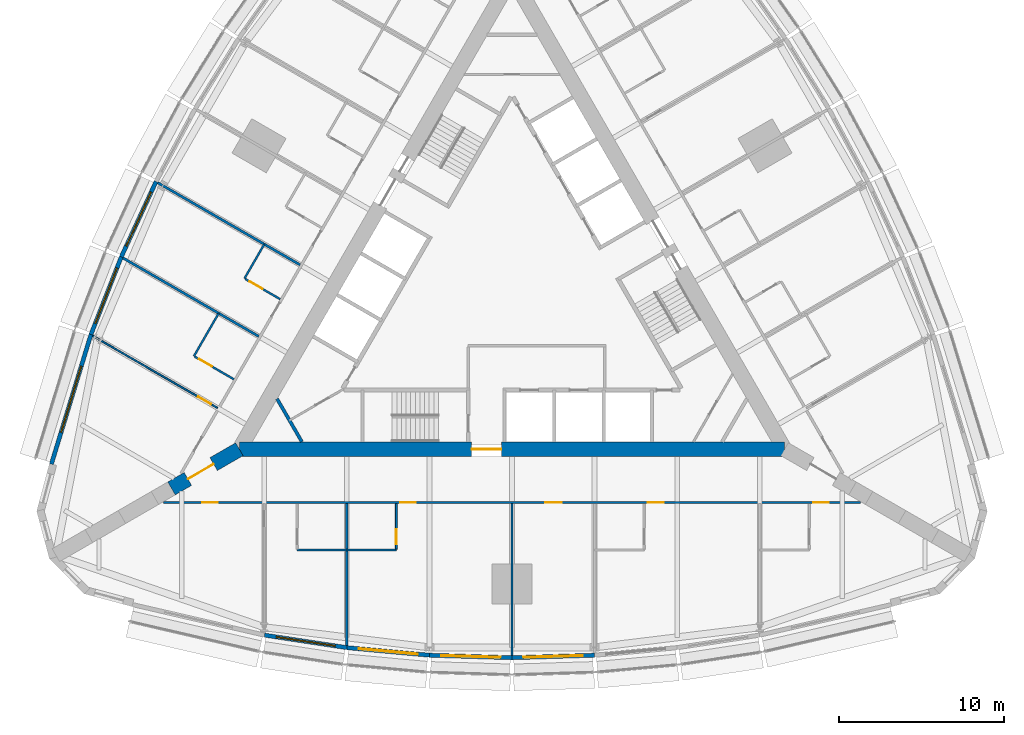
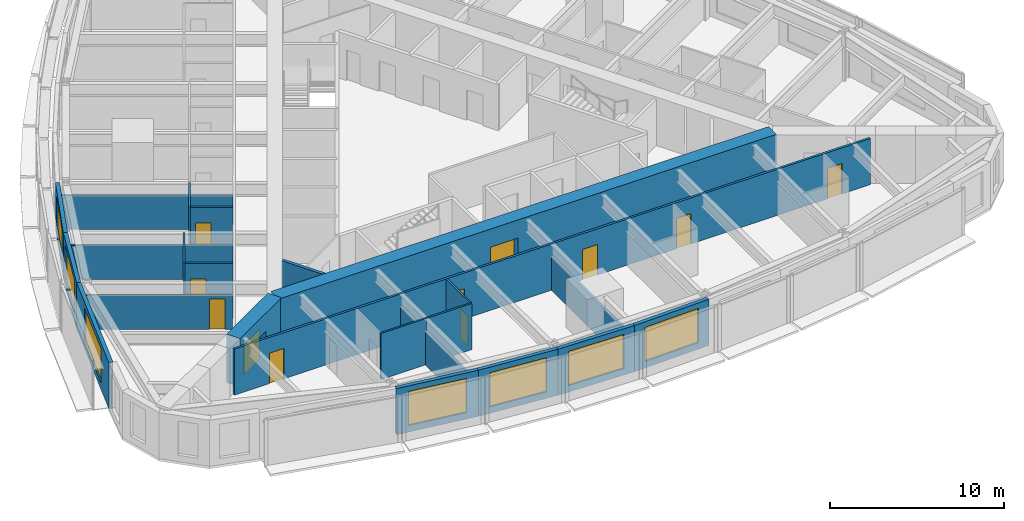
# One storey, part 8 of 14: 23 walls, 11 doors, 7 windows, 18 openings.
"""IFC4 building model written with IfcOpenShell, lengths in metres."""

from ifc_helpers import new_model, si_unit, direction, frame, frame_2d, origin, place, context, subcontext, project, spatial, rectangle, extrude, material, layer, layer_set, type_object, element, fill, save


model = new_model("IFC4")

# Units and contexts
model_context = context("Model", 3, precision=1e-05, world=origin(), true_north=direction((0.0, 1.0)))
body_context = subcontext(model_context, "Body", "Model", "MODEL_VIEW")
ifc_project = project(units=[si_unit("LENGTHUNIT", "METRE"), si_unit("AREAUNIT", "SQUARE_METRE"), si_unit("VOLUMEUNIT", "CUBIC_METRE"), si_unit("PLANEANGLEUNIT", "RADIAN"), si_unit("MASSUNIT", "GRAM", prefix="KILO")], contexts=[model_context])

# Site, building, storey
site_placement = place(None, origin())
site = spatial("IfcSite", under=ifc_project, at=site_placement, CompositionType="ELEMENT")
building_placement = place(site_placement, origin())
building = spatial("IfcBuilding", under=site, at=building_placement, Name="Trikona Tower", CompositionType="ELEMENT")
storey_placement = place(building_placement, frame((0.0, 0.0, 48.89990234375)))
storey = spatial("IfcBuildingStorey", under=building, at=storey_placement, Name="L11", CompositionType="ELEMENT", Elevation=48.89990234375)

# Walls
ifc_material_1 = material(Name="Metal stud and cement board", Category="gypsum")
ifc_layer_1 = layer(ifc_material_1, 0.1201171875)
ifc_layer_set_1 = layer_set([ifc_layer_1], Name="Bathroom wall 120")
wall_type_1 = type_object("IfcWallType", Name="Bathroom wall 120", PredefinedType="PLUMBINGWALL", material=ifc_layer_set_1)
for number, where, z_axis, x_axis, name in (
    (1, (-13.0, -15.626220703125, 0.0), (0.0, 0.0, 1.0), (1.0, 0.0, 0.0), "Bathroom wall 1101.1"),
    (2, (-10.0, -15.626220703125, 0.0), (0.0, 0.0, 1.0), (1.0, 0.0, 0.0), "Bathroom wall 1102"),
):
    element("IfcWall", number, at=place(storey_placement, frame(where, z_axis=z_axis, x_axis=x_axis)), inside=storey, type_object=wall_type_1, Name=name, PredefinedType="PLUMBINGWALL", context=body_context, shape_type="SweptSolid", body=[
        extrude(rectangle(XDim=3.0, YDim=0.1201171875, at=frame_2d((1.5, 0.0))), origin(), (0.0, 0.0, 1.0), 3.235107421875),
    ])

# Wall, opening, door
wall_1_placement = place(storey_placement, frame((-7.0, -12.826416015625, 0.0), z_axis=(0.0, 0.0, 1.0), x_axis=(0.0, -1.0, 0.0)))
wall_1 = element("IfcWall", 3, at=wall_1_placement, inside=storey, type_object=wall_type_1, Name="Bathroom wall 1102", PredefinedType="PLUMBINGWALL", context=body_context, shape_type="SweptSolid", body=[
    extrude(rectangle(XDim=2.739990234375, YDim=0.1201171875, at=frame_2d((1.3701171875, 0.0))), origin(), (0.0, 0.0, 1.0), 3.235107421875),
])
opening_1_placement = place(wall_1_placement, frame((1.550048828125, 0.0, 0.0)))
opening_1 = element("IfcOpeningElement", 4, at=opening_1_placement, cuts=wall_1, Name="Opening D2", PredefinedType="OPENING", context=body_context, shape_type="SweptSolid", body=[
    extrude(rectangle(XDim=0.89990234375, YDim=2.1298828125, at=frame_2d((0.449951171875, 1.06494140625))), frame((0.0, 0.070068359375, 0.0), z_axis=(0.0, -1.0, 0.0), x_axis=(1.0, 0.0, 0.0)), (0.0, 0.0, 1.0), 0.14013671875),
])
ifc_material_2 = material(Name="Steel door frame with solid-core timber leaf", Category="steel")
door_type_1 = type_object("IfcDoorType", Name="Bathroom door 900x2130", OperationType="SLIDING_TO_LEFT", PredefinedType="DOOR", material=ifc_material_2)
door_1_placement = place(opening_1_placement, origin())
door_1 = element("IfcDoor", 5, at=door_1_placement, inside=storey, type_object=door_type_1, Name="Bathroom door 1102", OperationType="SLIDING_TO_LEFT", OverallHeight=2.1298828125, OverallWidth=0.89990234375, PredefinedType="DOOR", context=body_context, shape_type="SweptSolid", body=[
    extrude(rectangle(XDim=0.89990234375, YDim=2.1298828125, at=frame_2d((0.449951171875, 1.06494140625))), frame((0.0, 0.02490234375, 0.0), z_axis=(0.0, -1.0, 0.0), x_axis=(1.0, 0.0, 0.0)), (0.0, 0.0, 1.0), 0.050048828125),
])
fill(opening_1, door_1)

# Wall
wall_2_placement = place(storey_placement, frame((-14.993408203125, 2.883056640625, 0.0), z_axis=(0.0, 0.0, 1.0), x_axis=(-0.500077600433, -0.865980596518, 0.0)))
element("IfcWall", 6, at=wall_2_placement, inside=storey, type_object=wall_type_1, Name="Bathroom wall 1115", PredefinedType="PLUMBINGWALL", context=body_context, shape_type="SweptSolid", body=[
    extrude(rectangle(XDim=2.39990234375, YDim=0.1201171875, at=frame_2d((1.199951171875, 0.0))), origin(), (0.0, 0.0, 1.0), 3.235107421875),
])

# Wall, opening, door
wall_3_placement = place(storey_placement, frame((-14.028564453125, -0.4453125, 0.0), z_axis=(0.0, 0.0, 1.0), x_axis=(-0.866023955769, 0.500002508028, 0.0)))
wall_3 = element("IfcWall", 7, at=wall_3_placement, inside=storey, type_object=wall_type_1, Name="Bathroom wall 1115", PredefinedType="PLUMBINGWALL", context=body_context, shape_type="SweptSolid", body=[
    extrude(rectangle(XDim=2.43994140625, YDim=0.1201171875, at=frame_2d((1.219970703125, 0.0))), origin(), (0.0, 0.0, 1.0), 3.235107421875),
])
opening_2_placement = place(wall_3_placement, frame((1.25, 0.0, 0.0)))
opening_2 = element("IfcOpeningElement", 8, at=opening_2_placement, cuts=wall_3, Name="Opening D2", PredefinedType="OPENING", context=body_context, shape_type="SweptSolid", body=[
    extrude(rectangle(XDim=0.89990234375, YDim=2.1298828125, at=frame_2d((0.449951171875, 1.06494140625))), frame((0.0, 0.070068359375, 0.0), z_axis=(0.0, -1.0, 0.0), x_axis=(1.0, 0.0, 0.0)), (0.0, 0.0, 1.0), 0.14013671875),
])
door_2_placement = place(opening_2_placement, origin())
door_2 = element("IfcDoor", 9, at=door_2_placement, inside=storey, type_object=door_type_1, Name="Bathroom door 1115", OperationType="SLIDING_TO_LEFT", OverallHeight=2.1298828125, OverallWidth=0.89990234375, PredefinedType="DOOR", context=body_context, shape_type="SweptSolid", body=[
    extrude(rectangle(XDim=0.89990234375, YDim=2.1298828125, at=frame_2d((0.449951171875, 1.06494140625))), frame((0.0, 0.02490234375, 0.0), z_axis=(0.0, -1.0, 0.0), x_axis=(1.0, 0.0, 0.0)), (0.0, 0.0, 1.0), 0.050048828125),
])
fill(opening_2, door_2)

# Wall
wall_4_placement = place(storey_placement, frame((-17.75341796875, -1.297119140625, 0.0), z_axis=(0.0, 0.0, 1.0), x_axis=(-0.499990139034, -0.866031096941, 0.0)))
element("IfcWall", 10, at=wall_4_placement, inside=storey, type_object=wall_type_1, Name="Bathroom wall 1116.1", PredefinedType="PLUMBINGWALL", context=body_context, shape_type="SweptSolid", body=[
    extrude(rectangle(XDim=3.0, YDim=0.1201171875, at=frame_2d((1.5, 0.0))), origin(), (0.0, 0.0, 1.0), 3.235107421875),
])

# Wall, opening, door
wall_5_placement = place(storey_placement, frame((-16.82861328125, -5.295166015625, 0.0), z_axis=(0.0, 0.0, 1.0), x_axis=(-0.866035715982, 0.499982138324, 0.0)))
wall_5 = element("IfcWall", 11, at=wall_5_placement, inside=storey, type_object=wall_type_1, Name="Bathroom wall 1116.1", PredefinedType="PLUMBINGWALL", context=body_context, shape_type="SweptSolid", body=[
    extrude(rectangle(XDim=2.73974609375, YDim=0.1201171875, at=frame_2d((1.369873046875, 0.0))), origin(), (0.0, 0.0, 1.0), 3.235107421875),
])
opening_3_placement = place(wall_5_placement, frame((1.550048828125, 0.0, 0.0)))
opening_3 = element("IfcOpeningElement", 12, at=opening_3_placement, cuts=wall_5, Name="Opening D2", PredefinedType="OPENING", context=body_context, shape_type="SweptSolid", body=[
    extrude(rectangle(XDim=0.89990234375, YDim=2.1298828125, at=frame_2d((0.449951171875, 1.06494140625))), frame((0.0, 0.070068359375, 0.0), z_axis=(0.0, -1.0, 0.0), x_axis=(1.0, 0.0, 0.0)), (0.0, 0.0, 1.0), 0.14013671875),
])
door_3_placement = place(opening_3_placement, origin())
door_3 = element("IfcDoor", 13, at=door_3_placement, inside=storey, type_object=door_type_1, Name="Bathroom door 1116.1", OperationType="SLIDING_TO_LEFT", OverallHeight=2.1298828125, OverallWidth=0.89990234375, PredefinedType="DOOR", context=body_context, shape_type="SweptSolid", body=[
    extrude(rectangle(XDim=0.89990234375, YDim=2.1298828125, at=frame_2d((0.449951171875, 1.06494140625))), frame((0.0, 0.02490234375, 0.0), z_axis=(0.0, -1.0, 0.0), x_axis=(1.0, 0.0, 0.0)), (0.0, 0.0, 1.0), 0.050048828125),
])
fill(opening_3, door_3)

ifc_material_3 = material(Name="Concrete f'c 10000 psi", Category="concrete")
ifc_layer_2 = layer(ifc_material_3, 0.89990234375)
ifc_layer_set_2 = layer_set([ifc_layer_2], Name="Buttress wall 900")
wall_type_2 = type_object("IfcWallType", Name="Buttress wall 900", PredefinedType="SHEAR", material=ifc_layer_set_2)
wall_6_placement = place(storey_placement, frame((-16.5, -9.5263671875, 0.0), z_axis=(0.0, 0.0, 1.0), x_axis=(-0.866031398331, -0.499989616998, 0.0)))
wall_6 = element("IfcWall", 14, at=wall_6_placement, inside=storey, type_object=wall_type_2, Name="Buttress wall 3", PredefinedType="SHEAR", context=body_context, shape_type="SweptSolid", body=[
    extrude(rectangle(XDim=4.74609375, YDim=0.89990234375, at=frame_2d((2.373046875, 0.0))), origin(), (0.0, 0.0, 1.0), 3.400146484375),
])
opening_4_placement = place(wall_6_placement, frame((1.800048828125, 0.0, 0.0)))
opening_4 = element("IfcOpeningElement", 15, at=opening_4_placement, cuts=wall_6, Name="Opening D10", PredefinedType="OPENING", context=body_context, shape_type="SweptSolid", body=[
    extrude(rectangle(XDim=1.800048828125, YDim=2.1298828125, at=frame_2d((0.89990234375, 1.06494140625))), frame((0.0, 0.4599609375, 0.0), z_axis=(0.0, -1.0, 0.0), x_axis=(1.0, 0.0, 0.0)), (0.0, 0.0, 1.0), 0.919921875),
])
ifc_material_4 = material(Name="Hollow metal door and frame", Category="steel")
door_type_2 = type_object("IfcDoorType", Name="Cross-corridor door pair 1800x2130", OperationType="DOUBLE_DOOR_DOUBLE_SWING", PredefinedType="DOOR", material=ifc_material_4)
door_4_placement = place(opening_4_placement, origin())
door_4 = element("IfcDoor", 16, at=door_4_placement, inside=storey, type_object=door_type_2, Name="Cross-corridor door 3", OperationType="DOUBLE_DOOR_DOUBLE_SWING", OverallHeight=2.1298828125, OverallWidth=1.800048828125, PredefinedType="DOOR", context=body_context, shape_type="SweptSolid", body=[
    extrude(rectangle(XDim=1.800048828125, YDim=2.1298828125, at=frame_2d((0.89990234375, 1.06494140625))), frame((0.0, 0.02490234375, 0.0), z_axis=(0.0, -1.0, 0.0), x_axis=(1.0, 0.0, 0.0)), (0.0, 0.0, 1.0), 0.050048828125),
])
fill(opening_4, door_4)

ifc_material_5 = material(Name="Concrete f'c 10000 psi", Category="concrete")
ifc_layer_3 = layer(ifc_material_5, 0.89990234375)
ifc_layer_set_3 = layer_set([ifc_layer_3], Name="Core wall 900")
wall_type_3 = type_object("IfcWallType", Name="Core wall 900", PredefinedType="SHEAR", material=ifc_layer_set_3)
wall_7_placement = place(storey_placement, frame((-16.5, -9.5263671875, 0.0), z_axis=(0.0, 0.0, 1.0), x_axis=(1.0, 0.0, 0.0)))
wall_7 = element("IfcWall", 17, at=wall_7_placement, inside=storey, type_object=wall_type_3, Name="Core wall A", PredefinedType="SHEAR", context=body_context, shape_type="SweptSolid", body=[
    extrude(rectangle(XDim=33.0, YDim=0.89990234375, at=frame_2d((16.5, 0.0))), origin(), (0.0, 0.0, 1.0), 3.400146484375),
])
opening_5_placement = place(wall_7_placement, frame((14.050048828125, 0.0, 0.0)))
opening_5 = element("IfcOpeningElement", 18, at=opening_5_placement, cuts=wall_7, Name="Opening D6", PredefinedType="OPENING", context=body_context, shape_type="SweptSolid", body=[
    extrude(rectangle(XDim=1.800048828125, YDim=2.1298828125, at=frame_2d((0.89990234375, 1.06494140625))), frame((0.0, 0.4599609375, 0.0), z_axis=(0.0, -1.0, 0.0), x_axis=(1.0, 0.0, 0.0)), (0.0, 0.0, 1.0), 0.919921875),
])
ifc_material_6 = material(Name="Hollow metal door and frame", Category="steel")
door_type_3 = type_object("IfcDoorType", Name="Lobby door pair 1800x2130", OperationType="DOUBLE_DOOR_SINGLE_SWING", PredefinedType="DOOR", material=ifc_material_6)
door_5_placement = place(opening_5_placement, origin())
door_5 = element("IfcDoor", 19, at=door_5_placement, inside=storey, type_object=door_type_3, Name="Fire service lift lobby door", OperationType="DOUBLE_DOOR_SINGLE_SWING", OverallHeight=2.1298828125, OverallWidth=1.800048828125, PredefinedType="DOOR", context=body_context, shape_type="SweptSolid", body=[
    extrude(rectangle(XDim=1.800048828125, YDim=2.1298828125, at=frame_2d((0.89990234375, 1.06494140625))), frame((0.0, 0.02490234375, 0.0), z_axis=(0.0, -1.0, 0.0), x_axis=(1.0, 0.0, 0.0)), (0.0, 0.0, 1.0), 0.050048828125),
])
fill(opening_5, door_5)

# Wall, openings, doors
ifc_material_7 = material(Name="Metal stud and gypsum board, 1-hour", Category="gypsum")
ifc_layer_4 = layer(ifc_material_7, 0.14990234375)
ifc_layer_set_4 = layer_set([ifc_layer_4], Name="Corridor wall 150")
wall_type_4 = type_object("IfcWallType", Name="Corridor wall 150", PredefinedType="PARTITIONING", material=ifc_layer_set_4)
wall_8_placement = place(storey_placement, frame((-21.0859375, -12.751220703125, 0.0), z_axis=(0.0, 0.0, 1.0), x_axis=(1.0, 0.0, 0.0)))
wall_8 = element("IfcWall", 20, at=wall_8_placement, inside=storey, type_object=wall_type_4, Name="Corridor wall L11-1", PredefinedType="PARTITIONING", context=body_context, shape_type="SweptSolid", body=[
    extrude(rectangle(XDim=42.171875, YDim=0.14990234375, at=frame_2d((21.0859375, 0.0))), origin(), (0.0, 0.0, 1.0), 3.235107421875),
])
opening_6_placement = place(wall_8_placement, frame((2.337646484375, 0.0, 0.0)))
opening_6 = element("IfcOpeningElement", 21, at=opening_6_placement, cuts=wall_8, Name="Opening D1", PredefinedType="OPENING", context=body_context, shape_type="SweptSolid", body=[
    extrude(rectangle(XDim=0.949951171875, YDim=2.1298828125, at=frame_2d((0.47509765625, 1.06494140625))), frame((0.0, 0.0849609375, 0.0), z_axis=(0.0, -1.0, 0.0), x_axis=(1.0, 0.0, 0.0)), (0.0, 0.0, 1.0), 0.169921875),
])
opening_7_placement = place(wall_8_placement, frame((14.310791015625, 0.0, 0.0)))
opening_7 = element("IfcOpeningElement", 22, at=opening_7_placement, cuts=wall_8, Name="Opening D1", PredefinedType="OPENING", context=body_context, shape_type="SweptSolid", body=[
    extrude(rectangle(XDim=0.949951171875, YDim=2.1298828125, at=frame_2d((0.47509765625, 1.06494140625))), frame((0.0, 0.0849609375, 0.0), z_axis=(0.0, -1.0, 0.0), x_axis=(1.0, 0.0, 0.0)), (0.0, 0.0, 1.0), 0.169921875),
])
opening_8_placement = place(wall_8_placement, frame((23.0859375, 0.0, 0.0)))
opening_8 = element("IfcOpeningElement", 23, at=opening_8_placement, cuts=wall_8, Name="Opening D3", PredefinedType="OPENING", context=body_context, shape_type="SweptSolid", body=[
    extrude(rectangle(XDim=1.0, YDim=2.1298828125, at=frame_2d((0.5, 1.06494140625))), frame((0.0, 0.0849609375, 0.0), z_axis=(0.0, -1.0, 0.0), x_axis=(1.0, 0.0, 0.0)), (0.0, 0.0, 1.0), 0.169921875),
])
opening_9_placement = place(wall_8_placement, frame((29.310791015625, 0.0, 0.0)))
opening_9 = element("IfcOpeningElement", 24, at=opening_9_placement, cuts=wall_8, Name="Opening D1", PredefinedType="OPENING", context=body_context, shape_type="SweptSolid", body=[
    extrude(rectangle(XDim=0.949951171875, YDim=2.1298828125, at=frame_2d((0.47509765625, 1.06494140625))), frame((0.0, 0.0849609375, 0.0), z_axis=(0.0, -1.0, 0.0), x_axis=(1.0, 0.0, 0.0)), (0.0, 0.0, 1.0), 0.169921875),
])
opening_10_placement = place(wall_8_placement, frame((39.310791015625, 0.0, 0.0)))
opening_10 = element("IfcOpeningElement", 25, at=opening_10_placement, cuts=wall_8, Name="Opening D1", PredefinedType="OPENING", context=body_context, shape_type="SweptSolid", body=[
    extrude(rectangle(XDim=0.949951171875, YDim=2.1298828125, at=frame_2d((0.47509765625, 1.06494140625))), frame((0.0, 0.0849609375, 0.0), z_axis=(0.0, -1.0, 0.0), x_axis=(1.0, 0.0, 0.0)), (0.0, 0.0, 1.0), 0.169921875),
])
ifc_material_8 = material(Name="Steel door frame with solid-core timber leaf", Category="steel")
door_type_4 = type_object("IfcDoorType", Name="Guest room door 950x2130", OperationType="SINGLE_SWING_LEFT", PredefinedType="DOOR", material=ifc_material_8)
door_6_placement = place(opening_6_placement, origin())
door_6 = element("IfcDoor", 26, at=door_6_placement, inside=storey, type_object=door_type_4, Name="Room door 1101", OperationType="SINGLE_SWING_LEFT", OverallHeight=2.1298828125, OverallWidth=0.949951171875, PredefinedType="DOOR", context=body_context, shape_type="SweptSolid", body=[
    extrude(rectangle(XDim=0.949951171875, YDim=2.1298828125, at=frame_2d((0.47509765625, 1.06494140625))), frame((0.0, 0.02490234375, 0.0), z_axis=(0.0, -1.0, 0.0), x_axis=(1.0, 0.0, 0.0)), (0.0, 0.0, 1.0), 0.050048828125),
])
fill(opening_6, door_6)
door_7_placement = place(opening_7_placement, origin())
door_7 = element("IfcDoor", 27, at=door_7_placement, inside=storey, type_object=door_type_4, Name="Room door 1102", OperationType="SINGLE_SWING_RIGHT", OverallHeight=2.1298828125, OverallWidth=0.949951171875, PredefinedType="DOOR", context=body_context, shape_type="SweptSolid", body=[
    extrude(rectangle(XDim=0.949951171875, YDim=2.1298828125, at=frame_2d((0.47509765625, 1.06494140625))), frame((0.0, 0.02490234375, 0.0), z_axis=(0.0, -1.0, 0.0), x_axis=(1.0, 0.0, 0.0)), (0.0, 0.0, 1.0), 0.050048828125),
])
fill(opening_7, door_7)
door_8_placement = place(opening_9_placement, origin())
door_8 = element("IfcDoor", 28, at=door_8_placement, inside=storey, type_object=door_type_4, Name="Room door 1103", OperationType="SINGLE_SWING_RIGHT", OverallHeight=2.1298828125, OverallWidth=0.949951171875, PredefinedType="DOOR", context=body_context, shape_type="SweptSolid", body=[
    extrude(rectangle(XDim=0.949951171875, YDim=2.1298828125, at=frame_2d((0.47509765625, 1.06494140625))), frame((0.0, 0.02490234375, 0.0), z_axis=(0.0, -1.0, 0.0), x_axis=(1.0, 0.0, 0.0)), (0.0, 0.0, 1.0), 0.050048828125),
])
fill(opening_9, door_8)
door_9_placement = place(opening_10_placement, origin())
door_9 = element("IfcDoor", 29, at=door_9_placement, inside=storey, type_object=door_type_4, Name="Room door 1104", OperationType="SINGLE_SWING_RIGHT", OverallHeight=2.1298828125, OverallWidth=0.949951171875, PredefinedType="DOOR", context=body_context, shape_type="SweptSolid", body=[
    extrude(rectangle(XDim=0.949951171875, YDim=2.1298828125, at=frame_2d((0.47509765625, 1.06494140625))), frame((0.0, 0.02490234375, 0.0), z_axis=(0.0, -1.0, 0.0), x_axis=(1.0, 0.0, 0.0)), (0.0, 0.0, 1.0), 0.050048828125),
])
fill(opening_10, door_9)
ifc_material_9 = material(Name="Steel door frame with solid-core timber leaf", Category="steel")
door_type_5 = type_object("IfcDoorType", Name="Room door 1000x2130", OperationType="SINGLE_SWING_LEFT", PredefinedType="DOOR", material=ifc_material_9)
door_10_placement = place(opening_8_placement, origin())
door_10 = element("IfcDoor", 30, at=door_10_placement, inside=storey, type_object=door_type_5, Name="Door Housekeeping pantry", OperationType="SINGLE_SWING_LEFT", OverallHeight=2.1298828125, OverallWidth=1.0, PredefinedType="DOOR", context=body_context, shape_type="SweptSolid", body=[
    extrude(rectangle(XDim=1.0, YDim=2.1298828125, at=frame_2d((0.5, 1.06494140625))), frame((0.0, 0.02490234375, 0.0), z_axis=(0.0, -1.0, 0.0), x_axis=(1.0, 0.0, 0.0)), (0.0, 0.0, 1.0), 0.050048828125),
])
fill(opening_8, door_10)

# Wall, opening, window
ifc_material_10 = material(Name="Insulated precast concrete spandrel panel", Category="concrete")
ifc_layer_5 = layer(ifc_material_10, 0.25)
ifc_layer_set_5 = layer_set([ifc_layer_5], Name="Inner skin wall 250")
wall_type_5 = type_object("IfcWallType", Name="Inner skin wall 250", PredefinedType="STANDARD", material=ifc_layer_set_5)
wall_9_placement = place(storey_placement, frame((-14.981201171875, -20.779296875, 0.0), z_axis=(0.0, 0.0, 1.0), x_axis=(0.988615403399, -0.150464561152, 0.0)))
wall_9 = element("IfcWall", 31, at=wall_9_placement, inside=storey, type_object=wall_type_5, Name="External wall L11-01", PredefinedType="STANDARD", context=body_context, shape_type="SweptSolid", body=[
    extrude(rectangle(XDim=5.0576171875, YDim=0.25, at=frame_2d((2.52880859375, 0.0))), origin(), (0.0, 0.0, 1.0), 3.235107421875),
])
opening_11_placement = place(wall_9_placement, frame((0.728759765625, 0.0, 0.449951171875)))
opening_11 = element("IfcOpeningElement", 32, at=opening_11_placement, cuts=wall_9, Name="Opening W3624", PredefinedType="OPENING", context=body_context, shape_type="SweptSolid", body=[
    extrude(rectangle(XDim=3.60009765625, YDim=2.39990234375, at=frame_2d((1.800048828125, 1.199951171875))), frame((0.0, 0.135009765625, 0.0), z_axis=(0.0, -1.0, 0.0), x_axis=(1.0, 0.0, 0.0)), (0.0, 0.0, 1.0), 0.27001953125),
])
ifc_material_11 = material(Name="Aluminium-framed double glazing", Category="aluminium")
window_type_1 = type_object("IfcWindowType", Name="Window 3600x2400", PartitioningType="SINGLE_PANEL", PredefinedType="WINDOW", material=ifc_material_11)
window_1_placement = place(opening_11_placement, origin())
window_1 = element("IfcWindow", 33, at=window_1_placement, inside=storey, type_object=window_type_1, Name="Window 1101.1", OverallHeight=2.39990234375, OverallWidth=3.60009765625, PartitioningType="SINGLE_PANEL", PredefinedType="WINDOW", context=body_context, shape_type="SweptSolid", body=[
    extrude(rectangle(XDim=3.60009765625, YDim=2.39990234375, at=frame_2d((1.800048828125, 1.199951171875))), frame((0.0, 0.030029296875, 0.0), z_axis=(0.0, -1.0, 0.0), x_axis=(1.0, 0.0, 0.0)), (0.0, 0.0, 1.0), 0.06005859375),
])
fill(opening_11, window_1)

wall_10_placement = place(storey_placement, frame((-9.988525390625, -21.539306640625, 0.0), z_axis=(0.0, 0.0, 1.0), x_axis=(0.995857256774, -0.090930325692, 0.0)))
wall_10 = element("IfcWall", 34, at=wall_10_placement, inside=storey, type_object=wall_type_5, Name="External wall L11-02", PredefinedType="STANDARD", context=body_context, shape_type="SweptSolid", body=[
    extrude(rectangle(XDim=5.020751953125, YDim=0.25, at=frame_2d((2.51025390625, 0.0))), origin(), (0.0, 0.0, 1.0), 3.235107421875),
])
opening_12_placement = place(wall_10_placement, frame((0.71044921875, 0.0, 0.449951171875)))
opening_12 = element("IfcOpeningElement", 35, at=opening_12_placement, cuts=wall_10, Name="Opening W3624", PredefinedType="OPENING", context=body_context, shape_type="SweptSolid", body=[
    extrude(rectangle(XDim=3.60009765625, YDim=2.39990234375, at=frame_2d((1.800048828125, 1.199951171875))), frame((0.0, 0.135009765625, 0.0), z_axis=(0.0, -1.0, 0.0), x_axis=(1.0, 0.0, 0.0)), (0.0, 0.0, 1.0), 0.27001953125),
])
window_2_placement = place(opening_12_placement, origin())
window_2 = element("IfcWindow", 36, at=window_2_placement, inside=storey, type_object=window_type_1, Name="Window 1102", OverallHeight=2.39990234375, OverallWidth=3.60009765625, PartitioningType="SINGLE_PANEL", PredefinedType="WINDOW", context=body_context, shape_type="SweptSolid", body=[
    extrude(rectangle(XDim=3.60009765625, YDim=2.39990234375, at=frame_2d((1.800048828125, 1.199951171875))), frame((0.0, 0.030029296875, 0.0), z_axis=(0.0, -1.0, 0.0), x_axis=(1.0, 0.0, 0.0)), (0.0, 0.0, 1.0), 0.06005859375),
])
fill(opening_12, window_2)

wall_11_placement = place(storey_placement, frame((-4.99609375, -21.99560546875, 0.0), z_axis=(0.0, 0.0, 1.0), x_axis=(0.999537635046, -0.030405856769, 0.0)))
wall_11 = element("IfcWall", 37, at=wall_11_placement, inside=storey, type_object=wall_type_5, Name="External wall L11-03", PredefinedType="STANDARD", context=body_context, shape_type="SweptSolid", body=[
    extrude(rectangle(XDim=5.002197265625, YDim=0.25, at=frame_2d((2.5009765625, 0.0))), origin(), (0.0, 0.0, 1.0), 3.235107421875),
])
opening_13_placement = place(wall_11_placement, frame((0.701171875, 0.0, 0.449951171875)))
opening_13 = element("IfcOpeningElement", 38, at=opening_13_placement, cuts=wall_11, Name="Opening W3624", PredefinedType="OPENING", context=body_context, shape_type="SweptSolid", body=[
    extrude(rectangle(XDim=3.60009765625, YDim=2.39990234375, at=frame_2d((1.800048828125, 1.199951171875))), frame((0.0, 0.135009765625, 0.0), z_axis=(0.0, -1.0, 0.0), x_axis=(1.0, 0.0, 0.0)), (0.0, 0.0, 1.0), 0.27001953125),
])
window_3_placement = place(opening_13_placement, origin())
window_3 = element("IfcWindow", 39, at=window_3_placement, inside=storey, type_object=window_type_1, Name="Window 1102", OverallHeight=2.39990234375, OverallWidth=3.60009765625, PartitioningType="SINGLE_PANEL", PredefinedType="WINDOW", context=body_context, shape_type="SweptSolid", body=[
    extrude(rectangle(XDim=3.60009765625, YDim=2.39990234375, at=frame_2d((1.800048828125, 1.199951171875))), frame((0.0, 0.030029296875, 0.0), z_axis=(0.0, -1.0, 0.0), x_axis=(1.0, 0.0, 0.0)), (0.0, 0.0, 1.0), 0.06005859375),
])
fill(opening_13, window_3)

wall_12_placement = place(storey_placement, frame((-0.00390625, -22.147705078125, 0.0), z_axis=(0.0, 0.0, 1.0), x_axis=(0.999537635046, 0.030405856769, 0.0)))
wall_12 = element("IfcWall", 40, at=wall_12_placement, inside=storey, type_object=wall_type_5, Name="External wall L11-04", PredefinedType="STANDARD", context=body_context, shape_type="SweptSolid", body=[
    extrude(rectangle(XDim=5.002197265625, YDim=0.25, at=frame_2d((2.5009765625, 0.0))), origin(), (0.0, 0.0, 1.0), 3.235107421875),
])
opening_14_placement = place(wall_12_placement, frame((0.701171875, 0.0, 0.449951171875)))
opening_14 = element("IfcOpeningElement", 41, at=opening_14_placement, cuts=wall_12, Name="Opening W3624", PredefinedType="OPENING", context=body_context, shape_type="SweptSolid", body=[
    extrude(rectangle(XDim=3.60009765625, YDim=2.39990234375, at=frame_2d((1.800048828125, 1.199951171875))), frame((0.0, 0.135009765625, 0.0), z_axis=(0.0, -1.0, 0.0), x_axis=(1.0, 0.0, 0.0)), (0.0, 0.0, 1.0), 0.27001953125),
])
window_4_placement = place(opening_14_placement, origin())
window_4 = element("IfcWindow", 42, at=window_4_placement, inside=storey, type_object=window_type_1, Name="Window L11-HKP", OverallHeight=2.39990234375, OverallWidth=3.60009765625, PartitioningType="SINGLE_PANEL", PredefinedType="WINDOW", context=body_context, shape_type="SweptSolid", body=[
    extrude(rectangle(XDim=3.60009765625, YDim=2.39990234375, at=frame_2d((1.800048828125, 1.199951171875))), frame((0.0, 0.030029296875, 0.0), z_axis=(0.0, -1.0, 0.0), x_axis=(1.0, 0.0, 0.0)), (0.0, 0.0, 1.0), 0.06005859375),
])
fill(opening_14, window_4)

wall_13_placement = place(storey_placement, frame((-21.543212890625, 6.677734375, 0.0), z_axis=(0.0, 0.0, 1.0), x_axis=(-0.419203100754, -0.907892482796, 0.0)))
wall_13 = element("IfcWall", 43, at=wall_13_placement, inside=storey, type_object=wall_type_5, Name="External wall L11-29", PredefinedType="STANDARD", context=body_context, shape_type="SweptSolid", body=[
    extrude(rectangle(XDim=5.020751953125, YDim=0.25, at=frame_2d((2.51025390625, 0.0))), origin(), (0.0, 0.0, 1.0), 3.235107421875),
])
opening_15_placement = place(wall_13_placement, frame((0.71044921875, 0.0, 0.449951171875)))
opening_15 = element("IfcOpeningElement", 44, at=opening_15_placement, cuts=wall_13, Name="Opening W3624", PredefinedType="OPENING", context=body_context, shape_type="SweptSolid", body=[
    extrude(rectangle(XDim=3.60009765625, YDim=2.39990234375, at=frame_2d((1.800048828125, 1.199951171875))), frame((0.0, 0.135009765625, 0.0), z_axis=(0.0, -1.0, 0.0), x_axis=(1.0, 0.0, 0.0)), (0.0, 0.0, 1.0), 0.27001953125),
])
window_5_placement = place(opening_15_placement, origin())
window_5 = element("IfcWindow", 45, at=window_5_placement, inside=storey, type_object=window_type_1, Name="Window 1115", OverallHeight=2.39990234375, OverallWidth=3.60009765625, PartitioningType="SINGLE_PANEL", PredefinedType="WINDOW", context=body_context, shape_type="SweptSolid", body=[
    extrude(rectangle(XDim=3.60009765625, YDim=2.39990234375, at=frame_2d((1.800048828125, 1.199951171875))), frame((0.0, 0.030029296875, 0.0), z_axis=(0.0, -1.0, 0.0), x_axis=(1.0, 0.0, 0.0)), (0.0, 0.0, 1.0), 0.06005859375),
])
fill(opening_15, window_5)

wall_14_placement = place(storey_placement, frame((-23.64501953125, 2.126220703125, 0.0), z_axis=(0.0, 0.0, 1.0), x_axis=(-0.364013463868, -0.931393685894, 0.0)))
wall_14 = element("IfcWall", 46, at=wall_14_placement, inside=storey, type_object=wall_type_5, Name="External wall L11-30", PredefinedType="STANDARD", context=body_context, shape_type="SweptSolid", body=[
    extrude(rectangle(XDim=5.0576171875, YDim=0.25, at=frame_2d((2.52880859375, 0.0))), origin(), (0.0, 0.0, 1.0), 3.235107421875),
])
opening_16_placement = place(wall_14_placement, frame((0.728759765625, 0.0, 0.449951171875)))
opening_16 = element("IfcOpeningElement", 47, at=opening_16_placement, cuts=wall_14, Name="Opening W3624", PredefinedType="OPENING", context=body_context, shape_type="SweptSolid", body=[
    extrude(rectangle(XDim=3.60009765625, YDim=2.39990234375, at=frame_2d((1.800048828125, 1.199951171875))), frame((0.0, 0.135009765625, 0.0), z_axis=(0.0, -1.0, 0.0), x_axis=(1.0, 0.0, 0.0)), (0.0, 0.0, 1.0), 0.27001953125),
])
window_6_placement = place(opening_16_placement, origin())
window_6 = element("IfcWindow", 48, at=window_6_placement, inside=storey, type_object=window_type_1, Name="Window 1116.1", OverallHeight=2.39990234375, OverallWidth=3.60009765625, PartitioningType="SINGLE_PANEL", PredefinedType="WINDOW", context=body_context, shape_type="SweptSolid", body=[
    extrude(rectangle(XDim=3.60009765625, YDim=2.39990234375, at=frame_2d((1.800048828125, 1.199951171875))), frame((0.0, 0.030029296875, 0.0), z_axis=(0.0, -1.0, 0.0), x_axis=(1.0, 0.0, 0.0)), (0.0, 0.0, 1.0), 0.06005859375),
])
fill(opening_16, window_6)

wall_15_placement = place(storey_placement, frame((-25.48291015625, -2.575439453125, 0.0), z_axis=(0.0, 0.0, 1.0), x_axis=(-0.2919790669, -0.956424709265, 0.0)))
wall_15 = element("IfcWall", 49, at=wall_15_placement, inside=storey, type_object=wall_type_5, Name="External wall L11-31", PredefinedType="STANDARD", context=body_context, shape_type="SweptSolid", body=[
    extrude(rectangle(XDim=8.211181640625, YDim=0.25, at=frame_2d((4.10546875, 0.0))), origin(), (0.0, 0.0, 1.0), 3.235107421875),
])
opening_17_placement = place(wall_15_placement, frame((2.005615234375, 0.0, 0.449951171875)))
opening_17 = element("IfcOpeningElement", 50, at=opening_17_placement, cuts=wall_15, Name="Opening W4224", PredefinedType="OPENING", context=body_context, shape_type="SweptSolid", body=[
    extrude(rectangle(XDim=4.199951171875, YDim=2.39990234375, at=frame_2d((2.10009765625, 1.199951171875))), frame((0.0, 0.135009765625, 0.0), z_axis=(0.0, -1.0, 0.0), x_axis=(1.0, 0.0, 0.0)), (0.0, 0.0, 1.0), 0.27001953125),
])
ifc_material_12 = material(Name="Aluminium-framed double glazing", Category="aluminium")
window_type_2 = type_object("IfcWindowType", Name="Window 4200x2400", PartitioningType="SINGLE_PANEL", PredefinedType="WINDOW", material=ifc_material_12)
window_7_placement = place(opening_17_placement, origin())
window_7 = element("IfcWindow", 51, at=window_7_placement, inside=storey, type_object=window_type_2, Name="Window 1116", OverallHeight=2.39990234375, OverallWidth=4.199951171875, PartitioningType="SINGLE_PANEL", PredefinedType="WINDOW", context=body_context, shape_type="SweptSolid", body=[
    extrude(rectangle(XDim=4.199951171875, YDim=2.39990234375, at=frame_2d((2.10009765625, 1.199951171875))), frame((0.0, 0.030029296875, 0.0), z_axis=(0.0, -1.0, 0.0), x_axis=(1.0, 0.0, 0.0)), (0.0, 0.0, 1.0), 0.06005859375),
])
fill(opening_17, window_7)

# Walls
ifc_material_13 = material(Name="Metal stud and gypsum board, 1-hour acoustic", Category="gypsum")
ifc_layer_6 = layer(ifc_material_13, 0.14990234375)
ifc_layer_set_6 = layer_set([ifc_layer_6], Name="Party wall 150")
wall_type_6 = type_object("IfcWallType", Name="Party wall 150", PredefinedType="PARTITIONING", material=ifc_layer_set_6)
wall_16_placement = place(storey_placement, frame((-10.0, -12.826416015625, 0.0), z_axis=(0.0, 0.0, 1.0), x_axis=(0.0, -1.0, 0.0)))
element("IfcWall", 52, at=wall_16_placement, inside=storey, type_object=wall_type_6, Name="Partition L11 F1 u-10", PredefinedType="PARTITIONING", context=body_context, shape_type="SweptSolid", body=[
    extrude(rectangle(XDim=8.58447265625, YDim=0.14990234375, at=frame_2d((4.292236328125, 0.0))), origin(), (0.0, 0.0, 1.0), 2.389404296875),
])
wall_17_placement = place(storey_placement, frame((0.0, -12.826416015625, 0.0), z_axis=(0.0, 0.0, 1.0), x_axis=(0.0, -1.0, 0.0)))
element("IfcWall", 53, at=wall_17_placement, inside=storey, type_object=wall_type_6, Name="Partition L11 F1 u-1.03538e-30", PredefinedType="PARTITIONING", context=body_context, shape_type="SweptSolid", body=[
    extrude(rectangle(XDim=9.196044921875, YDim=0.14990234375, at=frame_2d((4.59814453125, 0.0))), origin(), (0.0, 0.0, 1.0), 2.389404296875),
])
wall_18_placement = place(storey_placement, frame((-12.82861328125, 1.633056640625, 0.0), z_axis=(0.0, 0.0, 1.0), x_axis=(-0.866026934769, 0.499997348248, 0.0)))
element("IfcWall", 54, at=wall_18_placement, inside=storey, type_object=wall_type_6, Name="Partition L11 F3 u5", PredefinedType="PARTITIONING", context=body_context, shape_type="SweptSolid", body=[
    extrude(rectangle(XDim=9.94287109375, YDim=0.14990234375, at=frame_2d((4.971435546875, 0.0))), origin(), (0.0, 0.0, 1.0), 2.389404296875),
])
wall_19_placement = place(storey_placement, frame((-15.32861328125, -2.697021484375, 0.0), z_axis=(0.0, 0.0, 1.0), x_axis=(-0.866018409083, 0.500012114982, 0.0)))
element("IfcWall", 55, at=wall_19_placement, inside=storey, type_object=wall_type_6, Name="Partition L11 F3 u10", PredefinedType="PARTITIONING", context=body_context, shape_type="SweptSolid", body=[
    extrude(rectangle(XDim=9.484619140625, YDim=0.14990234375, at=frame_2d((4.7421875, 0.0))), origin(), (0.0, 0.0, 1.0), 2.389404296875),
])
ifc_material_14 = material(Name="Concrete f'c 8000 psi", Category="concrete")
ifc_layer_7 = layer(ifc_material_14, 0.199951171875)
ifc_layer_set_7 = layer_set([ifc_layer_7], Name="Shaft wall 200")
wall_type_7 = type_object("IfcWallType", Name="Shaft wall 200", PredefinedType="SOLIDWALL", material=ifc_layer_set_7)
wall_20_placement = place(storey_placement, frame((-12.718505859375, -9.076416015625, 0.0), z_axis=(0.0, 0.0, 1.0), x_axis=(-0.499952404951, 0.866052881055, 0.0)))
element("IfcWall", 56, at=wall_20_placement, inside=storey, type_object=wall_type_7, Name="Riser wall L11-RS3", PredefinedType="SOLIDWALL", context=body_context, shape_type="SweptSolid", body=[
    extrude(rectangle(XDim=3.002197265625, YDim=0.199951171875, at=frame_2d((1.5009765625, 0.0))), origin(), (0.0, 0.0, 1.0), 3.235107421875),
])

# Wall, opening, door
ifc_material_15 = material(Name="Metal stud and gypsum board, acoustic", Category="gypsum")
ifc_layer_8 = layer(ifc_material_15, 0.10009765625)
ifc_layer_set_8 = layer_set([ifc_layer_8], Name="Suite partition 100")
wall_type_8 = type_object("IfcWallType", Name="Suite partition 100", PredefinedType="PARTITIONING", material=ifc_layer_set_8)
wall_21_placement = place(storey_placement, frame((-17.82861328125, -7.027099609375, 0.0), z_axis=(0.0, 0.0, 1.0), x_axis=(-0.866032659912, 0.499987431809, 0.0)))
wall_21 = element("IfcWall", 57, at=wall_21_placement, inside=storey, type_object=wall_type_8, Name="Suite partition L11 F3 u15", PredefinedType="PARTITIONING", context=body_context, shape_type="SweptSolid", body=[
    extrude(rectangle(XDim=8.719970703125, YDim=0.10009765625, at=frame_2d((4.35986328125, 0.0))), origin(), (0.0, 0.0, 1.0), 2.389404296875),
])
opening_18_placement = place(wall_21_placement, frame((0.449951171875, 0.0, 0.0)))
opening_18 = element("IfcOpeningElement", 58, at=opening_18_placement, cuts=wall_21, Name="Opening D13", PredefinedType="OPENING", context=body_context, shape_type="SweptSolid", body=[
    extrude(rectangle(XDim=0.89990234375, YDim=2.1298828125, at=frame_2d((0.449951171875, 1.06494140625))), frame((0.0, 0.06005859375, 0.0), z_axis=(0.0, -1.0, 0.0), x_axis=(1.0, 0.0, 0.0)), (0.0, 0.0, 1.0), 0.1201171875),
])
ifc_material_16 = material(Name="Steel door frame with solid-core timber leaf", Category="steel")
door_type_6 = type_object("IfcDoorType", Name="Suite door 900x2130", OperationType="SINGLE_SWING_LEFT", PredefinedType="DOOR", material=ifc_material_16)
door_11_placement = place(opening_18_placement, origin())
door_11 = element("IfcDoor", 59, at=door_11_placement, inside=storey, type_object=door_type_6, Name="Suite door 1116", OperationType="SINGLE_SWING_LEFT", OverallHeight=2.1298828125, OverallWidth=0.89990234375, PredefinedType="DOOR", context=body_context, shape_type="SweptSolid", body=[
    extrude(rectangle(XDim=0.89990234375, YDim=2.1298828125, at=frame_2d((0.449951171875, 1.06494140625))), frame((0.0, 0.02490234375, 0.0), z_axis=(0.0, -1.0, 0.0), x_axis=(1.0, 0.0, 0.0)), (0.0, 0.0, 1.0), 0.050048828125),
])
fill(opening_18, door_11)

save(model, "model.ifc")
